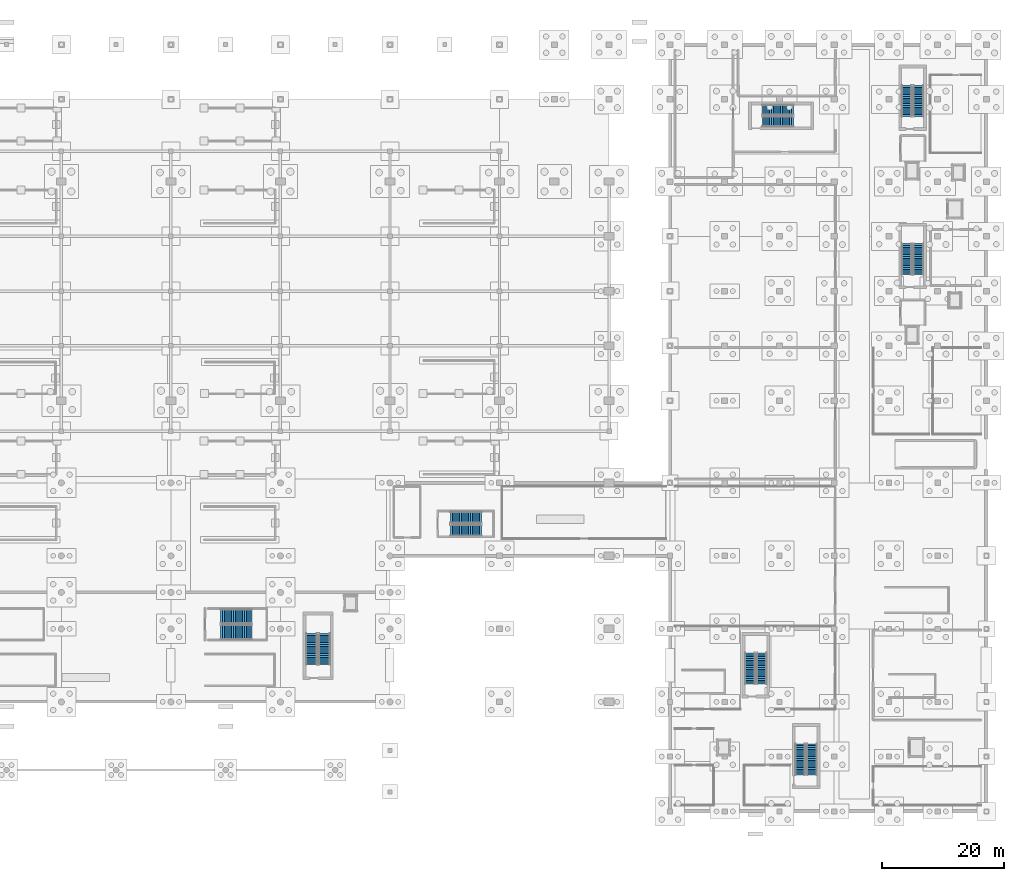
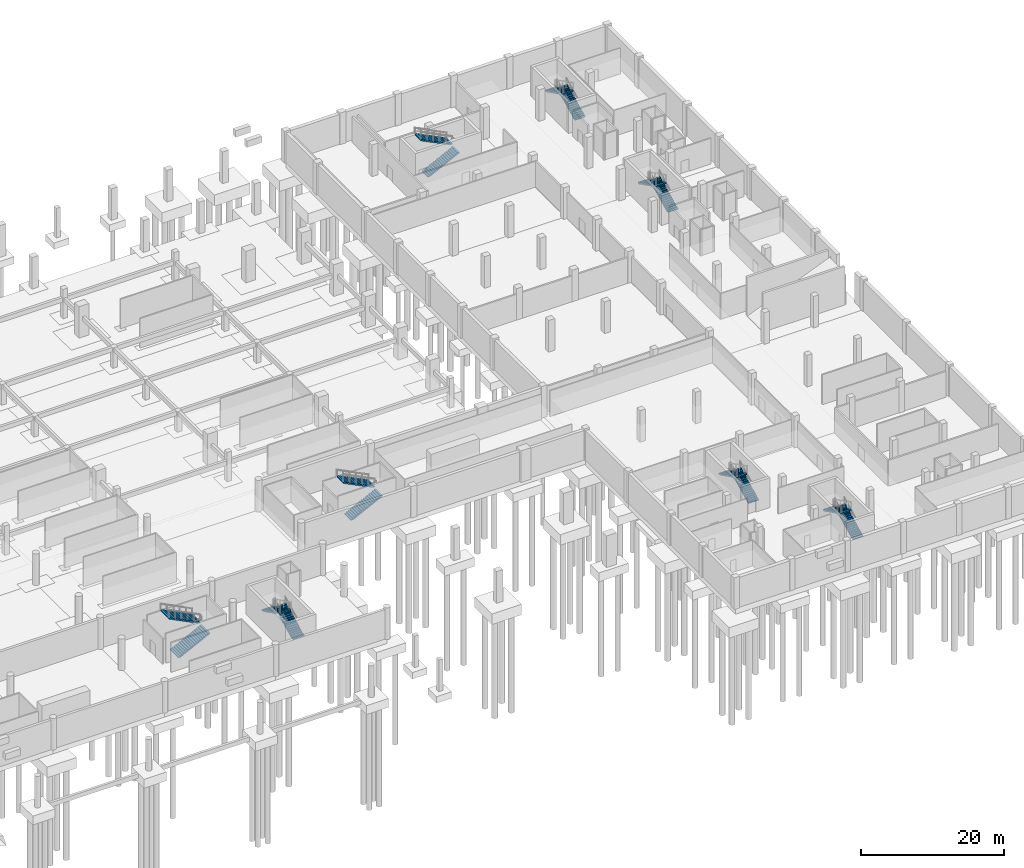
# One storey, part 17 of 26: 16 stair flights, 8 elements without a shape of their own.
"""IFC4 building model written with IfcOpenShell, lengths in metres."""

from ifc_helpers import new_model, si_unit, direction, frame, origin, place, context, subcontext, project, spatial, polyline, outline, extrude, material, type_object, element, aggregate, save


model = new_model("IFC4")

# Units and contexts
model_context = context("Model", 3, precision=1e-05, world=origin(), true_north=direction((0.0, 1.0)))
body_context = subcontext(model_context, "Body", "Model", "MODEL_VIEW")
ifc_project = project(units=[si_unit("LENGTHUNIT", "METRE"), si_unit("AREAUNIT", "SQUARE_METRE"), si_unit("VOLUMEUNIT", "CUBIC_METRE"), si_unit("PLANEANGLEUNIT", "RADIAN"), si_unit("MASSUNIT", "GRAM", prefix="KILO")], contexts=[model_context])

# Site, building, storey
site_placement = place(None, origin())
site = spatial("IfcSite", under=ifc_project, at=site_placement, CompositionType="ELEMENT")
building_placement = place(site_placement, origin())
building = spatial("IfcBuilding", under=site, at=building_placement, Name="Chuanluo Vaults Station", CompositionType="ELEMENT")
storey_placement = place(building_placement, frame((0.0, 0.0, -5.39990234375)))
storey = spatial("IfcBuildingStorey", under=building, at=storey_placement, Name="B1", CompositionType="ELEMENT", Elevation=-5.39990234375)

# Stair, stair flights
ifc_material_1 = material(Name="Concrete C40", Category="concrete")
stair_type_1 = type_object("IfcStairType", Name="STR-TWO-1600", PredefinedType="HALF_TURN_STAIR", material=ifc_material_1)
stair_1_placement = place(storey_placement, origin())
stair_1 = element("IfcStair", 1, at=stair_1_placement, inside=storey, type_object=stair_type_1, Name="B1 ST-01", PredefinedType="HALF_TURN_STAIR")
ifc_material_2 = material(Name="Concrete C40", Category="concrete")
stair_flight_type_1 = type_object("IfcStairFlightType", Name="SFL-STR-1600", PredefinedType="STRAIGHT", material=ifc_material_2)
stair_flight_1_placement = place(storey_placement, frame((176.844970703125, 88.1875, 0.0), z_axis=(0.0, 0.0, 1.0), x_axis=(0.0, 1.0, 0.0)))
stair_flight_1 = element("IfcStairFlight", 2, at=stair_flight_1_placement, type_object=stair_flight_type_1, Name="ST-01 flight 1", NumberOfRisers=18, NumberOfTreads=17, PredefinedType="STRAIGHT", RiserHeight=0.15, TreadLength=0.3, context=body_context, shape_type="SweptSolid", body=[
    extrude(outline(polyline([(0.0, 0.0), (0.0, 0.14990234375), (0.300048828125, 0.14990234375), (0.300048828125, 0.300048828125), (0.60009765625, 0.300048828125), (0.60009765625, 0.449951171875), (0.89990234375, 0.449951171875), (0.89990234375, 0.60009765625), (1.199951171875, 0.60009765625), (1.199951171875, 0.75), (1.5, 0.75), (1.5, 0.89990234375), (1.800048828125, 0.89990234375), (1.800048828125, 1.050048828125), (2.10009765625, 1.050048828125), (2.10009765625, 1.199951171875), (2.39990234375, 1.199951171875), (2.39990234375, 1.35009765625), (2.699951171875, 1.35009765625), (2.699951171875, 1.5), (3.0, 1.5), (3.0, 1.64990234375), (3.300048828125, 1.64990234375), (3.300048828125, 1.800048828125), (3.60009765625, 1.800048828125), (3.60009765625, 1.949951171875), (3.89990234375, 1.949951171875), (3.89990234375, 2.10009765625), (4.199951171875, 2.10009765625), (4.199951171875, 2.25), (4.5, 2.25), (4.5, 2.39990234375), (4.800048828125, 2.39990234375), (4.800048828125, 2.550048828125), (5.10009765625, 2.550048828125), (5.10009765625, 2.699951171875), (5.10009765625, 2.348876953125), (0.40234375, 0.0), (0.0, 0.0)])), frame((0.0, 0.842529296875, 0.0), z_axis=(0.0, -1.0, 0.0), x_axis=(1.0, 0.0, 0.0)), (0.0, 0.0, 1.0), 1.68505859375),
])
stair_flight_2_placement = place(storey_placement, frame((174.909912109375, 93.28759765625, 2.699951171875), z_axis=(0.0, 0.0, 1.0), x_axis=(0.0, -1.0, 0.0)))
stair_flight_2 = element("IfcStairFlight", 3, at=stair_flight_2_placement, type_object=stair_flight_type_1, Name="ST-01 flight 2", NumberOfRisers=18, NumberOfTreads=17, PredefinedType="STRAIGHT", RiserHeight=0.15, TreadLength=0.3, context=body_context, shape_type="SweptSolid", body=[
    extrude(outline(polyline([(0.0, 0.0), (0.0, 0.14990234375), (0.300048828125, 0.14990234375), (0.300048828125, 0.300048828125), (0.60009765625, 0.300048828125), (0.60009765625, 0.449951171875), (0.89990234375, 0.449951171875), (0.89990234375, 0.60009765625), (1.199951171875, 0.60009765625), (1.199951171875, 0.75), (1.5, 0.75), (1.5, 0.89990234375), (1.800048828125, 0.89990234375), (1.800048828125, 1.050048828125), (2.10009765625, 1.050048828125), (2.10009765625, 1.199951171875), (2.39990234375, 1.199951171875), (2.39990234375, 1.35009765625), (2.699951171875, 1.35009765625), (2.699951171875, 1.5), (3.0, 1.5), (3.0, 1.64990234375), (3.300048828125, 1.64990234375), (3.300048828125, 1.800048828125), (3.60009765625, 1.800048828125), (3.60009765625, 1.949951171875), (3.89990234375, 1.949951171875), (3.89990234375, 2.10009765625), (4.199951171875, 2.10009765625), (4.199951171875, 2.25), (4.5, 2.25), (4.5, 2.39990234375), (4.800048828125, 2.39990234375), (4.800048828125, 2.550048828125), (5.10009765625, 2.550048828125), (5.10009765625, 2.699951171875), (5.10009765625, 2.348876953125), (0.40234375, 0.0), (0.0, 0.0)])), frame((0.0, 0.842529296875, 0.0), z_axis=(0.0, -1.0, 0.0), x_axis=(1.0, 0.0, 0.0)), (0.0, 0.0, 1.0), 1.68505859375),
])
aggregate(stair_1, [stair_flight_1, stair_flight_2])

stair_2_placement = place(storey_placement, origin())
stair_2 = element("IfcStair", 4, at=stair_2_placement, inside=storey, type_object=stair_type_1, Name="B1 ST-02", PredefinedType="HALF_TURN_STAIR")
stair_flight_3_placement = place(storey_placement, frame((176.844970703125, 114.1875, 0.0), z_axis=(0.0, 0.0, 1.0), x_axis=(0.0, 1.0, 0.0)))
stair_flight_3 = element("IfcStairFlight", 5, at=stair_flight_3_placement, type_object=stair_flight_type_1, Name="ST-02 flight 1", NumberOfRisers=18, NumberOfTreads=17, PredefinedType="STRAIGHT", RiserHeight=0.15, TreadLength=0.3, context=body_context, shape_type="SweptSolid", body=[
    extrude(outline(polyline([(0.0, 0.0), (0.0, 0.14990234375), (0.300048828125, 0.14990234375), (0.300048828125, 0.300048828125), (0.60009765625, 0.300048828125), (0.60009765625, 0.449951171875), (0.89990234375, 0.449951171875), (0.89990234375, 0.60009765625), (1.199951171875, 0.60009765625), (1.199951171875, 0.75), (1.5, 0.75), (1.5, 0.89990234375), (1.800048828125, 0.89990234375), (1.800048828125, 1.050048828125), (2.10009765625, 1.050048828125), (2.10009765625, 1.199951171875), (2.39990234375, 1.199951171875), (2.39990234375, 1.35009765625), (2.699951171875, 1.35009765625), (2.699951171875, 1.5), (3.0, 1.5), (3.0, 1.64990234375), (3.300048828125, 1.64990234375), (3.300048828125, 1.800048828125), (3.60009765625, 1.800048828125), (3.60009765625, 1.949951171875), (3.89990234375, 1.949951171875), (3.89990234375, 2.10009765625), (4.199951171875, 2.10009765625), (4.199951171875, 2.25), (4.5, 2.25), (4.5, 2.39990234375), (4.800048828125, 2.39990234375), (4.800048828125, 2.550048828125), (5.10009765625, 2.550048828125), (5.10009765625, 2.699951171875), (5.10009765625, 2.348876953125), (0.40234375, 0.0), (0.0, 0.0)])), frame((0.0, 0.842529296875, 0.0), z_axis=(0.0, -1.0, 0.0), x_axis=(1.0, 0.0, 0.0)), (0.0, 0.0, 1.0), 1.68505859375),
])
stair_flight_4_placement = place(storey_placement, frame((174.909912109375, 119.28759765625, 2.699951171875), z_axis=(0.0, 0.0, 1.0), x_axis=(0.0, -1.0, 0.0)))
stair_flight_4 = element("IfcStairFlight", 6, at=stair_flight_4_placement, type_object=stair_flight_type_1, Name="ST-02 flight 2", NumberOfRisers=18, NumberOfTreads=17, PredefinedType="STRAIGHT", RiserHeight=0.15, TreadLength=0.3, context=body_context, shape_type="SweptSolid", body=[
    extrude(outline(polyline([(0.0, 0.0), (0.0, 0.14990234375), (0.300048828125, 0.14990234375), (0.300048828125, 0.300048828125), (0.60009765625, 0.300048828125), (0.60009765625, 0.449951171875), (0.89990234375, 0.449951171875), (0.89990234375, 0.60009765625), (1.199951171875, 0.60009765625), (1.199951171875, 0.75), (1.5, 0.75), (1.5, 0.89990234375), (1.800048828125, 0.89990234375), (1.800048828125, 1.050048828125), (2.10009765625, 1.050048828125), (2.10009765625, 1.199951171875), (2.39990234375, 1.199951171875), (2.39990234375, 1.35009765625), (2.699951171875, 1.35009765625), (2.699951171875, 1.5), (3.0, 1.5), (3.0, 1.64990234375), (3.300048828125, 1.64990234375), (3.300048828125, 1.800048828125), (3.60009765625, 1.800048828125), (3.60009765625, 1.949951171875), (3.89990234375, 1.949951171875), (3.89990234375, 2.10009765625), (4.199951171875, 2.10009765625), (4.199951171875, 2.25), (4.5, 2.25), (4.5, 2.39990234375), (4.800048828125, 2.39990234375), (4.800048828125, 2.550048828125), (5.10009765625, 2.550048828125), (5.10009765625, 2.699951171875), (5.10009765625, 2.348876953125), (0.40234375, 0.0), (0.0, 0.0)])), frame((0.0, 0.842529296875, 0.0), z_axis=(0.0, -1.0, 0.0), x_axis=(1.0, 0.0, 0.0)), (0.0, 0.0, 1.0), 1.68505859375),
])
aggregate(stair_2, [stair_flight_3, stair_flight_4])

stair_3_placement = place(storey_placement, origin())
stair_3 = element("IfcStair", 7, at=stair_3_placement, inside=storey, type_object=stair_type_1, Name="B1 ST-03", PredefinedType="HALF_TURN_STAIR")
stair_flight_5_placement = place(storey_placement, frame((151.1875, 113.342529296875, 0.0), z_axis=(0.0, 0.0, 1.0), x_axis=(1.0, 0.0, 0.0)))
stair_flight_5 = element("IfcStairFlight", 8, at=stair_flight_5_placement, type_object=stair_flight_type_1, Name="ST-03 flight 1", NumberOfRisers=18, NumberOfTreads=17, PredefinedType="STRAIGHT", RiserHeight=0.15, TreadLength=0.3, context=body_context, shape_type="SweptSolid", body=[
    extrude(outline(polyline([(0.0, 0.0), (0.0, 0.14990234375), (0.300048828125, 0.14990234375), (0.300048828125, 0.300048828125), (0.60009765625, 0.300048828125), (0.60009765625, 0.449951171875), (0.89990234375, 0.449951171875), (0.89990234375, 0.60009765625), (1.199951171875, 0.60009765625), (1.199951171875, 0.75), (1.5, 0.75), (1.5, 0.89990234375), (1.800048828125, 0.89990234375), (1.800048828125, 1.050048828125), (2.10009765625, 1.050048828125), (2.10009765625, 1.199951171875), (2.39990234375, 1.199951171875), (2.39990234375, 1.35009765625), (2.699951171875, 1.35009765625), (2.699951171875, 1.5), (3.0, 1.5), (3.0, 1.64990234375), (3.300048828125, 1.64990234375), (3.300048828125, 1.800048828125), (3.60009765625, 1.800048828125), (3.60009765625, 1.949951171875), (3.89990234375, 1.949951171875), (3.89990234375, 2.10009765625), (4.199951171875, 2.10009765625), (4.199951171875, 2.25), (4.5, 2.25), (4.5, 2.39990234375), (4.800048828125, 2.39990234375), (4.800048828125, 2.550048828125), (5.10009765625, 2.550048828125), (5.10009765625, 2.699951171875), (5.10009765625, 2.348876953125), (0.40234375, 0.0), (0.0, 0.0)])), frame((0.0, 0.842529296875, 0.0), z_axis=(0.0, -1.0, 0.0), x_axis=(1.0, 0.0, 0.0)), (0.0, 0.0, 1.0), 1.68505859375),
])
stair_flight_6_placement = place(storey_placement, frame((156.28759765625, 115.277587890625, 2.699951171875), z_axis=(0.0, 0.0, 1.0), x_axis=(-1.0, 0.0, 0.0)))
stair_flight_6 = element("IfcStairFlight", 9, at=stair_flight_6_placement, type_object=stair_flight_type_1, Name="ST-03 flight 2", NumberOfRisers=18, NumberOfTreads=17, PredefinedType="STRAIGHT", RiserHeight=0.15, TreadLength=0.3, context=body_context, shape_type="SweptSolid", body=[
    extrude(outline(polyline([(0.0, 0.0), (0.0, 0.14990234375), (0.300048828125, 0.14990234375), (0.300048828125, 0.300048828125), (0.60009765625, 0.300048828125), (0.60009765625, 0.449951171875), (0.89990234375, 0.449951171875), (0.89990234375, 0.60009765625), (1.199951171875, 0.60009765625), (1.199951171875, 0.75), (1.5, 0.75), (1.5, 0.89990234375), (1.800048828125, 0.89990234375), (1.800048828125, 1.050048828125), (2.10009765625, 1.050048828125), (2.10009765625, 1.199951171875), (2.39990234375, 1.199951171875), (2.39990234375, 1.35009765625), (2.699951171875, 1.35009765625), (2.699951171875, 1.5), (3.0, 1.5), (3.0, 1.64990234375), (3.300048828125, 1.64990234375), (3.300048828125, 1.800048828125), (3.60009765625, 1.800048828125), (3.60009765625, 1.949951171875), (3.89990234375, 1.949951171875), (3.89990234375, 2.10009765625), (4.199951171875, 2.10009765625), (4.199951171875, 2.25), (4.5, 2.25), (4.5, 2.39990234375), (4.800048828125, 2.39990234375), (4.800048828125, 2.550048828125), (5.10009765625, 2.550048828125), (5.10009765625, 2.699951171875), (5.10009765625, 2.348876953125), (0.40234375, 0.0), (0.0, 0.0)])), frame((0.0, 0.842529296875, 0.0), z_axis=(0.0, -1.0, 0.0), x_axis=(1.0, 0.0, 0.0)), (0.0, 0.0, 1.0), 1.68505859375),
])
aggregate(stair_3, [stair_flight_5, stair_flight_6])

stair_4_placement = place(storey_placement, origin())
stair_4 = element("IfcStair", 10, at=stair_4_placement, inside=storey, type_object=stair_type_1, Name="B1 ST-04", PredefinedType="HALF_TURN_STAIR")
stair_flight_7_placement = place(storey_placement, frame((151.094970703125, 20.9375, 0.0), z_axis=(0.0, 0.0, 1.0), x_axis=(0.0, 1.0, 0.0)))
stair_flight_7 = element("IfcStairFlight", 11, at=stair_flight_7_placement, type_object=stair_flight_type_1, Name="ST-04 flight 1", NumberOfRisers=18, NumberOfTreads=17, PredefinedType="STRAIGHT", RiserHeight=0.15, TreadLength=0.3, context=body_context, shape_type="SweptSolid", body=[
    extrude(outline(polyline([(0.0, 0.0), (0.0, 0.14990234375), (0.300048828125, 0.14990234375), (0.300048828125, 0.300048828125), (0.60009765625, 0.300048828125), (0.60009765625, 0.449951171875), (0.89990234375, 0.449951171875), (0.89990234375, 0.60009765625), (1.199951171875, 0.60009765625), (1.199951171875, 0.75), (1.5, 0.75), (1.5, 0.89990234375), (1.800048828125, 0.89990234375), (1.800048828125, 1.050048828125), (2.10009765625, 1.050048828125), (2.10009765625, 1.199951171875), (2.39990234375, 1.199951171875), (2.39990234375, 1.35009765625), (2.699951171875, 1.35009765625), (2.699951171875, 1.5), (3.0, 1.5), (3.0, 1.64990234375), (3.300048828125, 1.64990234375), (3.300048828125, 1.800048828125), (3.60009765625, 1.800048828125), (3.60009765625, 1.949951171875), (3.89990234375, 1.949951171875), (3.89990234375, 2.10009765625), (4.199951171875, 2.10009765625), (4.199951171875, 2.25), (4.5, 2.25), (4.5, 2.39990234375), (4.800048828125, 2.39990234375), (4.800048828125, 2.550048828125), (5.10009765625, 2.550048828125), (5.10009765625, 2.699951171875), (5.10009765625, 2.348876953125), (0.40234375, 0.0), (0.0, 0.0)])), frame((0.0, 0.842529296875, 0.0), z_axis=(0.0, -1.0, 0.0), x_axis=(1.0, 0.0, 0.0)), (0.0, 0.0, 1.0), 1.68505859375),
])
stair_flight_8_placement = place(storey_placement, frame((149.159912109375, 26.03759765625, 2.699951171875), z_axis=(0.0, 0.0, 1.0), x_axis=(0.0, -1.0, 0.0)))
stair_flight_8 = element("IfcStairFlight", 12, at=stair_flight_8_placement, type_object=stair_flight_type_1, Name="ST-04 flight 2", NumberOfRisers=18, NumberOfTreads=17, PredefinedType="STRAIGHT", RiserHeight=0.15, TreadLength=0.3, context=body_context, shape_type="SweptSolid", body=[
    extrude(outline(polyline([(0.0, 0.0), (0.0, 0.14990234375), (0.300048828125, 0.14990234375), (0.300048828125, 0.300048828125), (0.60009765625, 0.300048828125), (0.60009765625, 0.449951171875), (0.89990234375, 0.449951171875), (0.89990234375, 0.60009765625), (1.199951171875, 0.60009765625), (1.199951171875, 0.75), (1.5, 0.75), (1.5, 0.89990234375), (1.800048828125, 0.89990234375), (1.800048828125, 1.050048828125), (2.10009765625, 1.050048828125), (2.10009765625, 1.199951171875), (2.39990234375, 1.199951171875), (2.39990234375, 1.35009765625), (2.699951171875, 1.35009765625), (2.699951171875, 1.5), (3.0, 1.5), (3.0, 1.64990234375), (3.300048828125, 1.64990234375), (3.300048828125, 1.800048828125), (3.60009765625, 1.800048828125), (3.60009765625, 1.949951171875), (3.89990234375, 1.949951171875), (3.89990234375, 2.10009765625), (4.199951171875, 2.10009765625), (4.199951171875, 2.25), (4.5, 2.25), (4.5, 2.39990234375), (4.800048828125, 2.39990234375), (4.800048828125, 2.550048828125), (5.10009765625, 2.550048828125), (5.10009765625, 2.699951171875), (5.10009765625, 2.348876953125), (0.40234375, 0.0), (0.0, 0.0)])), frame((0.0, 0.842529296875, 0.0), z_axis=(0.0, -1.0, 0.0), x_axis=(1.0, 0.0, 0.0)), (0.0, 0.0, 1.0), 1.68505859375),
])
aggregate(stair_4, [stair_flight_7, stair_flight_8])

stair_5_placement = place(storey_placement, origin())
stair_5 = element("IfcStair", 13, at=stair_5_placement, inside=storey, type_object=stair_type_1, Name="B1 ST-05", PredefinedType="HALF_TURN_STAIR")
stair_flight_9_placement = place(storey_placement, frame((159.344970703125, 6.0, 0.0), z_axis=(0.0, 0.0, 1.0), x_axis=(0.0, 1.0, 0.0)))
stair_flight_9 = element("IfcStairFlight", 14, at=stair_flight_9_placement, type_object=stair_flight_type_1, Name="ST-05 flight 1", NumberOfRisers=18, NumberOfTreads=17, PredefinedType="STRAIGHT", RiserHeight=0.15, TreadLength=0.3, context=body_context, shape_type="SweptSolid", body=[
    extrude(outline(polyline([(0.0, 0.0), (0.0, 0.14990234375), (0.300048828125, 0.14990234375), (0.300048828125, 0.300048828125), (0.60009765625, 0.300048828125), (0.60009765625, 0.449951171875), (0.89990234375, 0.449951171875), (0.89990234375, 0.60009765625), (1.199951171875, 0.60009765625), (1.199951171875, 0.75), (1.5, 0.75), (1.5, 0.89990234375), (1.800048828125, 0.89990234375), (1.800048828125, 1.050048828125), (2.10009765625, 1.050048828125), (2.10009765625, 1.199951171875), (2.39990234375, 1.199951171875), (2.39990234375, 1.35009765625), (2.699951171875, 1.35009765625), (2.699951171875, 1.5), (3.0, 1.5), (3.0, 1.64990234375), (3.300048828125, 1.64990234375), (3.300048828125, 1.800048828125), (3.60009765625, 1.800048828125), (3.60009765625, 1.949951171875), (3.89990234375, 1.949951171875), (3.89990234375, 2.10009765625), (4.199951171875, 2.10009765625), (4.199951171875, 2.25), (4.5, 2.25), (4.5, 2.39990234375), (4.800048828125, 2.39990234375), (4.800048828125, 2.550048828125), (5.10009765625, 2.550048828125), (5.10009765625, 2.699951171875), (5.10009765625, 2.348876953125), (0.40234375, 0.0), (0.0, 0.0)])), frame((0.0, 0.842529296875, 0.0), z_axis=(0.0, -1.0, 0.0), x_axis=(1.0, 0.0, 0.0)), (0.0, 0.0, 1.0), 1.68505859375),
])
stair_flight_10_placement = place(storey_placement, frame((157.409912109375, 11.10009765625, 2.699951171875), z_axis=(0.0, 0.0, 1.0), x_axis=(0.0, -1.0, 0.0)))
stair_flight_10 = element("IfcStairFlight", 15, at=stair_flight_10_placement, type_object=stair_flight_type_1, Name="ST-05 flight 2", NumberOfRisers=18, NumberOfTreads=17, PredefinedType="STRAIGHT", RiserHeight=0.15, TreadLength=0.3, context=body_context, shape_type="SweptSolid", body=[
    extrude(outline(polyline([(0.0, 0.0), (0.0, 0.14990234375), (0.300048828125, 0.14990234375), (0.300048828125, 0.300048828125), (0.60009765625, 0.300048828125), (0.60009765625, 0.449951171875), (0.89990234375, 0.449951171875), (0.89990234375, 0.60009765625), (1.199951171875, 0.60009765625), (1.199951171875, 0.75), (1.5, 0.75), (1.5, 0.89990234375), (1.800048828125, 0.89990234375), (1.800048828125, 1.050048828125), (2.10009765625, 1.050048828125), (2.10009765625, 1.199951171875), (2.39990234375, 1.199951171875), (2.39990234375, 1.35009765625), (2.699951171875, 1.35009765625), (2.699951171875, 1.5), (3.0, 1.5), (3.0, 1.64990234375), (3.300048828125, 1.64990234375), (3.300048828125, 1.800048828125), (3.60009765625, 1.800048828125), (3.60009765625, 1.949951171875), (3.89990234375, 1.949951171875), (3.89990234375, 2.10009765625), (4.199951171875, 2.10009765625), (4.199951171875, 2.25), (4.5, 2.25), (4.5, 2.39990234375), (4.800048828125, 2.39990234375), (4.800048828125, 2.550048828125), (5.10009765625, 2.550048828125), (5.10009765625, 2.699951171875), (5.10009765625, 2.348876953125), (0.40234375, 0.0), (0.0, 0.0)])), frame((0.0, 0.842529296875, 0.0), z_axis=(0.0, -1.0, 0.0), x_axis=(1.0, 0.0, 0.0)), (0.0, 0.0, 1.0), 1.68505859375),
])
aggregate(stair_5, [stair_flight_9, stair_flight_10])

ifc_material_3 = material(Name="Concrete C40", Category="concrete")
stair_type_2 = type_object("IfcStairType", Name="STR-TWO-1800", PredefinedType="HALF_TURN_STAIR", material=ifc_material_3)
stair_6_placement = place(storey_placement, origin())
stair_6 = element("IfcStair", 16, at=stair_6_placement, inside=storey, type_object=stair_type_2, Name="B1 ST-06", PredefinedType="HALF_TURN_STAIR")
ifc_material_4 = material(Name="Concrete C40", Category="concrete")
stair_flight_type_2 = type_object("IfcStairFlightType", Name="SFL-STR-1800", PredefinedType="STRAIGHT", material=ifc_material_4)
stair_flight_11_placement = place(storey_placement, frame((79.25, 24.125, 0.0), z_axis=(0.0, 0.0, 1.0), x_axis=(0.0, 1.0, 0.0)))
stair_flight_11 = element("IfcStairFlight", 17, at=stair_flight_11_placement, type_object=stair_flight_type_2, Name="ST-06 flight 1", NumberOfRisers=18, NumberOfTreads=17, PredefinedType="STRAIGHT", RiserHeight=0.15, TreadLength=0.3, context=body_context, shape_type="SweptSolid", body=[
    extrude(outline(polyline([(0.0, 0.0), (0.0, 0.14990234375), (0.300048828125, 0.14990234375), (0.300048828125, 0.300048828125), (0.60009765625, 0.300048828125), (0.60009765625, 0.449951171875), (0.89990234375, 0.449951171875), (0.89990234375, 0.60009765625), (1.199951171875, 0.60009765625), (1.199951171875, 0.75), (1.5, 0.75), (1.5, 0.89990234375), (1.800048828125, 0.89990234375), (1.800048828125, 1.050048828125), (2.10009765625, 1.050048828125), (2.10009765625, 1.199951171875), (2.39990234375, 1.199951171875), (2.39990234375, 1.35009765625), (2.699951171875, 1.35009765625), (2.699951171875, 1.5), (3.0, 1.5), (3.0, 1.64990234375), (3.300048828125, 1.64990234375), (3.300048828125, 1.800048828125), (3.60009765625, 1.800048828125), (3.60009765625, 1.949951171875), (3.89990234375, 1.949951171875), (3.89990234375, 2.10009765625), (4.199951171875, 2.10009765625), (4.199951171875, 2.25), (4.5, 2.25), (4.5, 2.39990234375), (4.800048828125, 2.39990234375), (4.800048828125, 2.550048828125), (5.10009765625, 2.550048828125), (5.10009765625, 2.699951171875), (5.10009765625, 2.348876953125), (0.40234375, 0.0), (0.0, 0.0)])), frame((0.0, 0.9375, 0.0), z_axis=(0.0, -1.0, 0.0), x_axis=(1.0, 0.0, 0.0)), (0.0, 0.0, 1.0), 1.875),
])
stair_flight_12_placement = place(storey_placement, frame((77.125, 29.22509765625, 2.699951171875), z_axis=(0.0, 0.0, 1.0), x_axis=(0.0, -1.0, 0.0)))
stair_flight_12 = element("IfcStairFlight", 18, at=stair_flight_12_placement, type_object=stair_flight_type_2, Name="ST-06 flight 2", NumberOfRisers=18, NumberOfTreads=17, PredefinedType="STRAIGHT", RiserHeight=0.15, TreadLength=0.3, context=body_context, shape_type="SweptSolid", body=[
    extrude(outline(polyline([(0.0, 0.0), (0.0, 0.14990234375), (0.300048828125, 0.14990234375), (0.300048828125, 0.300048828125), (0.60009765625, 0.300048828125), (0.60009765625, 0.449951171875), (0.89990234375, 0.449951171875), (0.89990234375, 0.60009765625), (1.199951171875, 0.60009765625), (1.199951171875, 0.75), (1.5, 0.75), (1.5, 0.89990234375), (1.800048828125, 0.89990234375), (1.800048828125, 1.050048828125), (2.10009765625, 1.050048828125), (2.10009765625, 1.199951171875), (2.39990234375, 1.199951171875), (2.39990234375, 1.35009765625), (2.699951171875, 1.35009765625), (2.699951171875, 1.5), (3.0, 1.5), (3.0, 1.64990234375), (3.300048828125, 1.64990234375), (3.300048828125, 1.800048828125), (3.60009765625, 1.800048828125), (3.60009765625, 1.949951171875), (3.89990234375, 1.949951171875), (3.89990234375, 2.10009765625), (4.199951171875, 2.10009765625), (4.199951171875, 2.25), (4.5, 2.25), (4.5, 2.39990234375), (4.800048828125, 2.39990234375), (4.800048828125, 2.550048828125), (5.10009765625, 2.550048828125), (5.10009765625, 2.699951171875), (5.10009765625, 2.348876953125), (0.40234375, 0.0), (0.0, 0.0)])), frame((0.0, 0.9375, 0.0), z_axis=(0.0, -1.0, 0.0), x_axis=(1.0, 0.0, 0.0)), (0.0, 0.0, 1.0), 1.875),
])
aggregate(stair_6, [stair_flight_11, stair_flight_12])

stair_7_placement = place(storey_placement, origin())
stair_7 = element("IfcStair", 19, at=stair_7_placement, inside=storey, type_object=stair_type_2, Name="B1 ST-25", PredefinedType="HALF_TURN_STAIR")
stair_flight_13_placement = place(storey_placement, frame((99.9375, 46.1875, 0.0), z_axis=(0.0, 0.0, 1.0), x_axis=(1.0, 0.0, 0.0)))
stair_flight_13 = element("IfcStairFlight", 20, at=stair_flight_13_placement, type_object=stair_flight_type_2, Name="ST-25 flight 1", NumberOfRisers=18, NumberOfTreads=17, PredefinedType="STRAIGHT", RiserHeight=0.15, TreadLength=0.3, context=body_context, shape_type="SweptSolid", body=[
    extrude(outline(polyline([(0.0, 0.0), (0.0, 0.14990234375), (0.300048828125, 0.14990234375), (0.300048828125, 0.300048828125), (0.60009765625, 0.300048828125), (0.60009765625, 0.449951171875), (0.89990234375, 0.449951171875), (0.89990234375, 0.60009765625), (1.199951171875, 0.60009765625), (1.199951171875, 0.75), (1.5, 0.75), (1.5, 0.89990234375), (1.800048828125, 0.89990234375), (1.800048828125, 1.050048828125), (2.10009765625, 1.050048828125), (2.10009765625, 1.199951171875), (2.39990234375, 1.199951171875), (2.39990234375, 1.35009765625), (2.699951171875, 1.35009765625), (2.699951171875, 1.5), (3.0, 1.5), (3.0, 1.64990234375), (3.300048828125, 1.64990234375), (3.300048828125, 1.800048828125), (3.60009765625, 1.800048828125), (3.60009765625, 1.949951171875), (3.89990234375, 1.949951171875), (3.89990234375, 2.10009765625), (4.199951171875, 2.10009765625), (4.199951171875, 2.25), (4.5, 2.25), (4.5, 2.39990234375), (4.800048828125, 2.39990234375), (4.800048828125, 2.550048828125), (5.10009765625, 2.550048828125), (5.10009765625, 2.699951171875), (5.10009765625, 2.348876953125), (0.40234375, 0.0), (0.0, 0.0)])), frame((0.0, 0.9375, 0.0), z_axis=(0.0, -1.0, 0.0), x_axis=(1.0, 0.0, 0.0)), (0.0, 0.0, 1.0), 1.875),
])
stair_flight_14_placement = place(storey_placement, frame((105.03759765625, 48.3125, 2.699951171875), z_axis=(0.0, 0.0, 1.0), x_axis=(-1.0, 0.0, 0.0)))
stair_flight_14 = element("IfcStairFlight", 21, at=stair_flight_14_placement, type_object=stair_flight_type_2, Name="ST-25 flight 2", NumberOfRisers=18, NumberOfTreads=17, PredefinedType="STRAIGHT", RiserHeight=0.15, TreadLength=0.3, context=body_context, shape_type="SweptSolid", body=[
    extrude(outline(polyline([(0.0, 0.0), (0.0, 0.14990234375), (0.300048828125, 0.14990234375), (0.300048828125, 0.300048828125), (0.60009765625, 0.300048828125), (0.60009765625, 0.449951171875), (0.89990234375, 0.449951171875), (0.89990234375, 0.60009765625), (1.199951171875, 0.60009765625), (1.199951171875, 0.75), (1.5, 0.75), (1.5, 0.89990234375), (1.800048828125, 0.89990234375), (1.800048828125, 1.050048828125), (2.10009765625, 1.050048828125), (2.10009765625, 1.199951171875), (2.39990234375, 1.199951171875), (2.39990234375, 1.35009765625), (2.699951171875, 1.35009765625), (2.699951171875, 1.5), (3.0, 1.5), (3.0, 1.64990234375), (3.300048828125, 1.64990234375), (3.300048828125, 1.800048828125), (3.60009765625, 1.800048828125), (3.60009765625, 1.949951171875), (3.89990234375, 1.949951171875), (3.89990234375, 2.10009765625), (4.199951171875, 2.10009765625), (4.199951171875, 2.25), (4.5, 2.25), (4.5, 2.39990234375), (4.800048828125, 2.39990234375), (4.800048828125, 2.550048828125), (5.10009765625, 2.550048828125), (5.10009765625, 2.699951171875), (5.10009765625, 2.348876953125), (0.40234375, 0.0), (0.0, 0.0)])), frame((0.0, 0.9375, 0.0), z_axis=(0.0, -1.0, 0.0), x_axis=(1.0, 0.0, 0.0)), (0.0, 0.0, 1.0), 1.875),
])
aggregate(stair_7, [stair_flight_13, stair_flight_14])

ifc_material_5 = material(Name="Concrete C40", Category="concrete")
stair_type_3 = type_object("IfcStairType", Name="STR-TWO-2400", PredefinedType="HALF_TURN_STAIR", material=ifc_material_5)
stair_8_placement = place(storey_placement, origin())
stair_8 = element("IfcStair", 22, at=stair_8_placement, inside=storey, type_object=stair_type_3, Name="B1 ST-24", PredefinedType="HALF_TURN_STAIR")
ifc_material_6 = material(Name="Concrete C40", Category="concrete")
stair_flight_type_3 = type_object("IfcStairFlightType", Name="SFL-STR-2400", PredefinedType="STRAIGHT", material=ifc_material_6)
stair_flight_15_placement = place(storey_placement, frame((62.1875, 29.4375, 0.0), z_axis=(0.0, 0.0, 1.0), x_axis=(1.0, 0.0, 0.0)))
stair_flight_15 = element("IfcStairFlight", 23, at=stair_flight_15_placement, type_object=stair_flight_type_3, Name="ST-24 flight 1", NumberOfRisers=18, NumberOfTreads=17, PredefinedType="STRAIGHT", RiserHeight=0.15, TreadLength=0.3, context=body_context, shape_type="SweptSolid", body=[
    extrude(outline(polyline([(0.0, 0.0), (0.0, 0.14990234375), (0.300048828125, 0.14990234375), (0.300048828125, 0.300048828125), (0.60009765625, 0.300048828125), (0.60009765625, 0.449951171875), (0.89990234375, 0.449951171875), (0.89990234375, 0.60009765625), (1.199951171875, 0.60009765625), (1.199951171875, 0.75), (1.5, 0.75), (1.5, 0.89990234375), (1.800048828125, 0.89990234375), (1.800048828125, 1.050048828125), (2.10009765625, 1.050048828125), (2.10009765625, 1.199951171875), (2.39990234375, 1.199951171875), (2.39990234375, 1.35009765625), (2.699951171875, 1.35009765625), (2.699951171875, 1.5), (3.0, 1.5), (3.0, 1.64990234375), (3.300048828125, 1.64990234375), (3.300048828125, 1.800048828125), (3.60009765625, 1.800048828125), (3.60009765625, 1.949951171875), (3.89990234375, 1.949951171875), (3.89990234375, 2.10009765625), (4.199951171875, 2.10009765625), (4.199951171875, 2.25), (4.5, 2.25), (4.5, 2.39990234375), (4.800048828125, 2.39990234375), (4.800048828125, 2.550048828125), (5.10009765625, 2.550048828125), (5.10009765625, 2.699951171875), (5.10009765625, 2.348876953125), (0.40234375, 0.0), (0.0, 0.0)])), frame((0.0, 1.1875, 0.0), z_axis=(0.0, -1.0, 0.0), x_axis=(1.0, 0.0, 0.0)), (0.0, 0.0, 1.0), 2.375),
])
stair_flight_16_placement = place(storey_placement, frame((67.28759765625, 32.0625, 2.699951171875), z_axis=(0.0, 0.0, 1.0), x_axis=(-1.0, 0.0, 0.0)))
stair_flight_16 = element("IfcStairFlight", 24, at=stair_flight_16_placement, type_object=stair_flight_type_3, Name="ST-24 flight 2", NumberOfRisers=18, NumberOfTreads=17, PredefinedType="STRAIGHT", RiserHeight=0.15, TreadLength=0.3, context=body_context, shape_type="SweptSolid", body=[
    extrude(outline(polyline([(0.0, 0.0), (0.0, 0.14990234375), (0.300048828125, 0.14990234375), (0.300048828125, 0.300048828125), (0.60009765625, 0.300048828125), (0.60009765625, 0.449951171875), (0.89990234375, 0.449951171875), (0.89990234375, 0.60009765625), (1.199951171875, 0.60009765625), (1.199951171875, 0.75), (1.5, 0.75), (1.5, 0.89990234375), (1.800048828125, 0.89990234375), (1.800048828125, 1.050048828125), (2.10009765625, 1.050048828125), (2.10009765625, 1.199951171875), (2.39990234375, 1.199951171875), (2.39990234375, 1.35009765625), (2.699951171875, 1.35009765625), (2.699951171875, 1.5), (3.0, 1.5), (3.0, 1.64990234375), (3.300048828125, 1.64990234375), (3.300048828125, 1.800048828125), (3.60009765625, 1.800048828125), (3.60009765625, 1.949951171875), (3.89990234375, 1.949951171875), (3.89990234375, 2.10009765625), (4.199951171875, 2.10009765625), (4.199951171875, 2.25), (4.5, 2.25), (4.5, 2.39990234375), (4.800048828125, 2.39990234375), (4.800048828125, 2.550048828125), (5.10009765625, 2.550048828125), (5.10009765625, 2.699951171875), (5.10009765625, 2.348876953125), (0.40234375, 0.0), (0.0, 0.0)])), frame((0.0, 1.1875, 0.0), z_axis=(0.0, -1.0, 0.0), x_axis=(1.0, 0.0, 0.0)), (0.0, 0.0, 1.0), 2.375),
])
aggregate(stair_8, [stair_flight_15, stair_flight_16])

save(model, "model.ifc")
